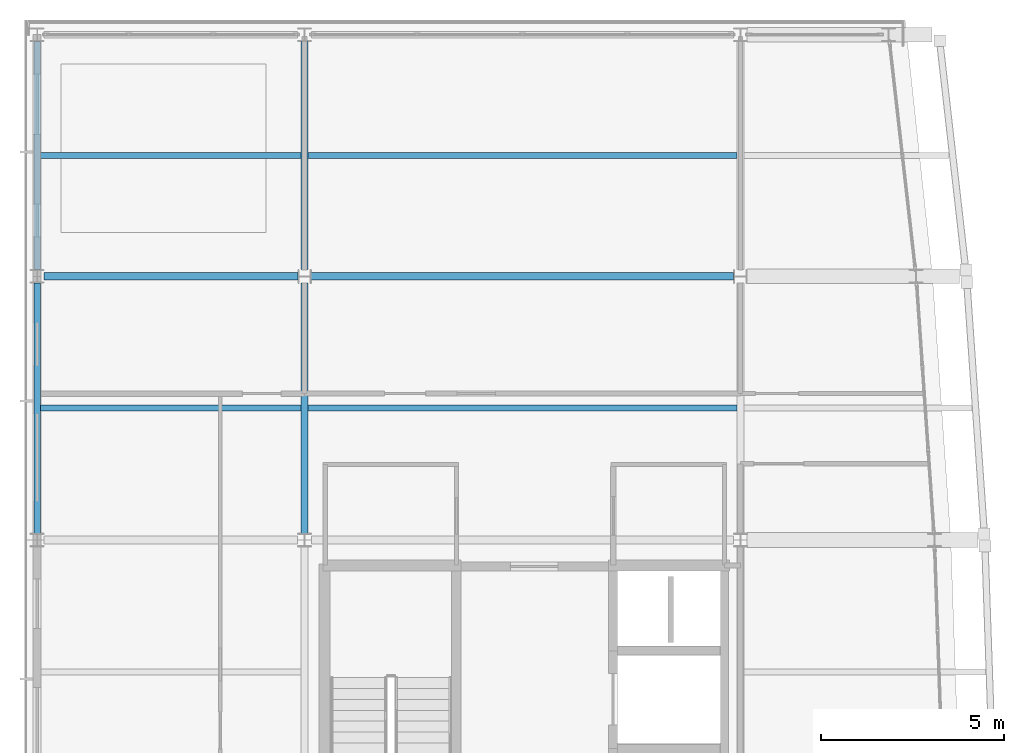
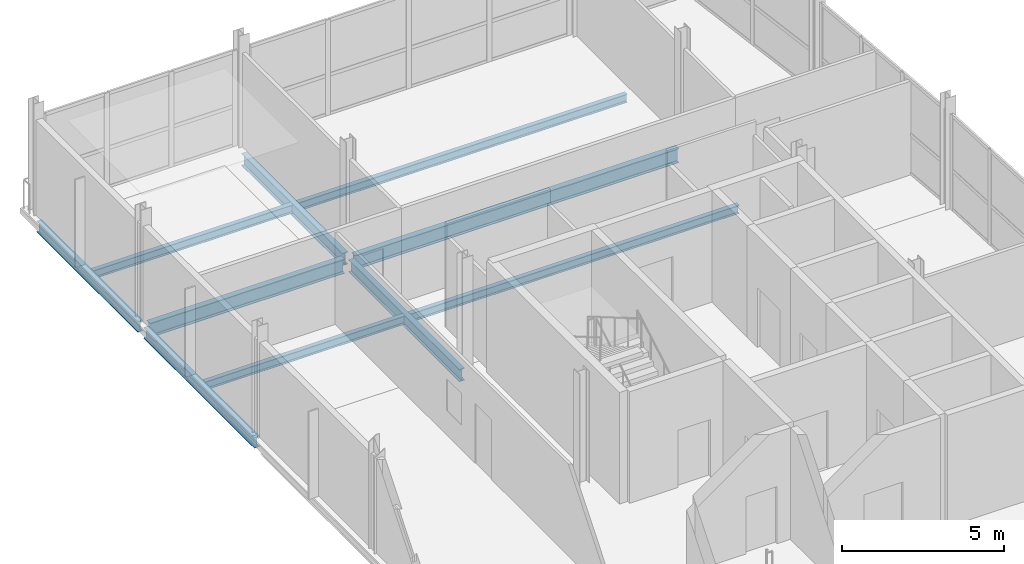
# One storey, part 6 of 17: 10 beams.
"""IFC4 building model written with IfcOpenShell, lengths in metres."""

from ifc_helpers import new_model, si_unit, direction, frame, origin, origin_2d, place, context, subcontext, project, spatial, i_section, extrude, material, material_profile, profile_set, type_object, element, save


model = new_model("IFC4")

# Units and contexts
model_context = context("Model", 3, precision=1e-05, world=origin(), true_north=direction((0.0, 1.0)))
body_context = subcontext(model_context, "Body", "Model", "MODEL_VIEW")
ifc_project = project(units=[si_unit("LENGTHUNIT", "METRE"), si_unit("AREAUNIT", "SQUARE_METRE"), si_unit("VOLUMEUNIT", "CUBIC_METRE"), si_unit("PLANEANGLEUNIT", "RADIAN"), si_unit("MASSUNIT", "GRAM", prefix="KILO")], contexts=[model_context])

# Site, building, storey
site_placement = place(None, origin())
site = spatial("IfcSite", under=ifc_project, at=site_placement, CompositionType="ELEMENT")
building_placement = place(site_placement, origin())
building = spatial("IfcBuilding", under=site, at=building_placement, Name="Quillay Park Conservatory", CompositionType="ELEMENT")
storey_placement = place(building_placement, frame((0.0, 0.0, 47.699951171875)))
storey = spatial("IfcBuildingStorey", under=building, at=storey_placement, Name="L11", CompositionType="ELEMENT", Elevation=47.699951171875)

# Beams
ifc_material_1 = material(Name="Steel ASTM A992 Grade 50", Category="steel")
ifc_material_profile_1 = material_profile(ifc_material_1, i_section(OverallWidth=0.166015625, OverallDepth=0.31298828125, WebThickness=0.006591796875, FlangeThickness=0.01123046875, FilletRadius=0.010009765625, at=origin_2d()), Name="W310x45")
ifc_profile_set_1 = profile_set([ifc_material_profile_1], Name="Steel ASTM A992 Grade 50")
beam_type_1 = type_object("IfcBeamType", Name="COMPOSITE FLOOR JOIST W310 X45", PredefinedType="JOIST", material=ifc_profile_set_1)
beam_1_placement = place(storey_placement, frame((0.639892578125, 103.199951171875, -0.38134765625), z_axis=(1.0, 0.0, 0.0), x_axis=(0.0, 1.0, 0.0)))
element("IfcBeam", 1, at=beam_1_placement, inside=storey, type_object=beam_type_1, Name="L11 beam BM-J-0816", PredefinedType="JOIST", context=body_context, shape_type="SweptSolid", body=[
    extrude(i_section(OverallWidth=0.166015625, OverallDepth=0.31298828125, WebThickness=0.006591796875, FlangeThickness=0.01123046875, FilletRadius=0.010009765625, at=origin_2d()), origin(), (0.0, 0.0, 1.0), 7.114013671875),
])
beam_2_placement = place(storey_placement, frame((7.946044921875, 103.199951171875, -0.38134765625), z_axis=(1.0, 0.0, 0.0), x_axis=(0.0, 1.0, 0.0)))
element("IfcBeam", 2, at=beam_2_placement, inside=storey, type_object=beam_type_1, Name="L11 beam BM-J-0818", PredefinedType="JOIST", context=body_context, shape_type="SweptSolid", body=[
    extrude(i_section(OverallWidth=0.166015625, OverallDepth=0.31298828125, WebThickness=0.006591796875, FlangeThickness=0.01123046875, FilletRadius=0.010009765625, at=origin_2d()), origin(), (0.0, 0.0, 1.0), 11.7080078125),
])
beam_3_placement = place(storey_placement, frame((0.639892578125, 110.10009765625, -0.38134765625), z_axis=(1.0, 0.0, 0.0), x_axis=(0.0, 1.0, 0.0)))
element("IfcBeam", 3, at=beam_3_placement, inside=storey, type_object=beam_type_1, Name="L11 beam BM-J-0823", PredefinedType="JOIST", context=body_context, shape_type="SweptSolid", body=[
    extrude(i_section(OverallWidth=0.166015625, OverallDepth=0.31298828125, WebThickness=0.006591796875, FlangeThickness=0.01123046875, FilletRadius=0.010009765625, at=origin_2d()), origin(), (0.0, 0.0, 1.0), 7.114013671875),
])
beam_4_placement = place(storey_placement, frame((7.946044921875, 110.10009765625, -0.38134765625), z_axis=(1.0, 0.0, 0.0), x_axis=(0.0, 1.0, 0.0)))
element("IfcBeam", 4, at=beam_4_placement, inside=storey, type_object=beam_type_1, Name="L11 beam BM-J-0825", PredefinedType="JOIST", context=body_context, shape_type="SweptSolid", body=[
    extrude(i_section(OverallWidth=0.166015625, OverallDepth=0.31298828125, WebThickness=0.006591796875, FlangeThickness=0.01123046875, FilletRadius=0.010009765625, at=origin_2d()), origin(), (0.0, 0.0, 1.0), 11.7080078125),
])
ifc_material_2 = material(Name="Steel ASTM A992 Grade 50", Category="steel")
ifc_material_profile_2 = material_profile(ifc_material_2, i_section(OverallWidth=0.179931640625, OverallDepth=0.4130859375, WebThickness=0.009765625, FlangeThickness=0.01611328125, FilletRadius=0.011962890625, at=origin_2d()), Name="W410x74")
ifc_profile_set_2 = profile_set([ifc_material_profile_2], Name="Steel ASTM A992 Grade 50")
beam_type_2 = type_object("IfcBeamType", Name="PERIMETER SPANDREL BEAM W410 X74", PredefinedType="SPANDREL", material=ifc_profile_set_2)
beam_5_placement = place(storey_placement, frame((0.550048828125, 99.781982421875, -0.431396484375), z_axis=(0.0, 1.0, 0.0), x_axis=(-1.0, 0.0, 0.0)))
element("IfcBeam", 5, at=beam_5_placement, inside=storey, type_object=beam_type_2, Name="L11 beam BM-SPW-0812", PredefinedType="SPANDREL", context=body_context, shape_type="SweptSolid", body=[
    extrude(i_section(OverallWidth=0.179931640625, OverallDepth=0.4130859375, WebThickness=0.009765625, FlangeThickness=0.01611328125, FilletRadius=0.011962890625, at=origin_2d()), origin(), (0.0, 0.0, 1.0), 6.8359375),
])
beam_6_placement = place(storey_placement, frame((0.550048828125, 106.98193359375, -0.431396484375), z_axis=(0.0, 1.0, 0.0), x_axis=(-1.0, 0.0, 0.0)))
element("IfcBeam", 6, at=beam_6_placement, inside=storey, type_object=beam_type_2, Name="L11 beam BM-SPW-0819", PredefinedType="SPANDREL", context=body_context, shape_type="SweptSolid", body=[
    extrude(i_section(OverallWidth=0.179931640625, OverallDepth=0.4130859375, WebThickness=0.009765625, FlangeThickness=0.01611328125, FilletRadius=0.011962890625, at=origin_2d()), origin(), (0.0, 0.0, 1.0), 6.236083984375),
])
ifc_material_3 = material(Name="Steel ASTM A992 Grade 50", Category="steel")
ifc_material_profile_3 = material_profile(ifc_material_3, i_section(OverallWidth=0.19189453125, OverallDepth=0.462890625, WebThickness=0.010498046875, FlangeThickness=0.017578125, FilletRadius=0.012939453125, at=origin_2d()), Name="W460x89")
ifc_profile_set_3 = profile_set([ifc_material_profile_3], Name="Steel ASTM A992 Grade 50")
beam_type_3 = type_object("IfcBeamType", Name="PRIMARY FLOOR GIRDER W460 X89", PredefinedType="BEAM", material=ifc_profile_set_3)
beam_7_placement = place(storey_placement, frame((7.85009765625, 99.781982421875, -0.45654296875), z_axis=(0.0, 1.0, 0.0), x_axis=(-1.0, 0.0, 0.0)))
element("IfcBeam", 7, at=beam_7_placement, inside=storey, type_object=beam_type_3, Name="L11 beam BM-GNS-0814", PredefinedType="BEAM", context=body_context, shape_type="SweptSolid", body=[
    extrude(i_section(OverallWidth=0.19189453125, OverallDepth=0.462890625, WebThickness=0.010498046875, FlangeThickness=0.017578125, FilletRadius=0.012939453125, at=origin_2d()), origin(), (0.0, 0.0, 1.0), 6.83251953125),
])
beam_8_placement = place(storey_placement, frame((7.85009765625, 106.985595703125, -0.45654296875), z_axis=(0.0, 1.0, 0.0), x_axis=(-1.0, 0.0, 0.0)))
element("IfcBeam", 8, at=beam_8_placement, inside=storey, type_object=beam_type_3, Name="L11 beam BM-GNS-0821", PredefinedType="BEAM", context=body_context, shape_type="SweptSolid", body=[
    extrude(i_section(OverallWidth=0.19189453125, OverallDepth=0.462890625, WebThickness=0.010498046875, FlangeThickness=0.017578125, FilletRadius=0.012939453125, at=origin_2d()), origin(), (0.0, 0.0, 1.0), 6.232421875),
])
ifc_material_4 = material(Name="Steel ASTM A992 Grade 50", Category="steel")
ifc_material_profile_4 = material_profile(ifc_material_4, i_section(OverallWidth=0.2109375, OverallDepth=0.5390625, WebThickness=0.01171875, FlangeThickness=0.018798828125, FilletRadius=0.013916015625, at=origin_2d()), Name="W530x109")
ifc_profile_set_4 = profile_set([ifc_material_profile_4], Name="Steel ASTM A992 Grade 50")
beam_type_4 = type_object("IfcBeamType", Name="PRIMARY FLOOR GIRDER W530 X109", PredefinedType="BEAM", material=ifc_profile_set_4)
beam_9_placement = place(storey_placement, frame((0.735595703125, 106.800048828125, -0.494384765625), z_axis=(1.0, 0.0, 0.0), x_axis=(0.0, 1.0, 0.0)))
element("IfcBeam", 9, at=beam_9_placement, inside=storey, type_object=beam_type_4, Name="L11 beam BM-G-0781", PredefinedType="BEAM", context=body_context, shape_type="SweptSolid", body=[
    extrude(i_section(OverallWidth=0.2109375, OverallDepth=0.5390625, WebThickness=0.01171875, FlangeThickness=0.018798828125, FilletRadius=0.013916015625, at=origin_2d()), origin(), (0.0, 0.0, 1.0), 6.932373046875),
])
beam_10_placement = place(storey_placement, frame((8.031982421875, 106.800048828125, -0.494384765625), z_axis=(1.0, 0.0, 0.0), x_axis=(0.0, 1.0, 0.0)))
element("IfcBeam", 10, at=beam_10_placement, inside=storey, type_object=beam_type_4, Name="L11 beam BM-G-0782", PredefinedType="BEAM", context=body_context, shape_type="SweptSolid", body=[
    extrude(i_section(OverallWidth=0.2109375, OverallDepth=0.5390625, WebThickness=0.01171875, FlangeThickness=0.018798828125, FilletRadius=0.013916015625, at=origin_2d()), origin(), (0.0, 0.0, 1.0), 11.5361328125),
])

save(model, "model.ifc")
